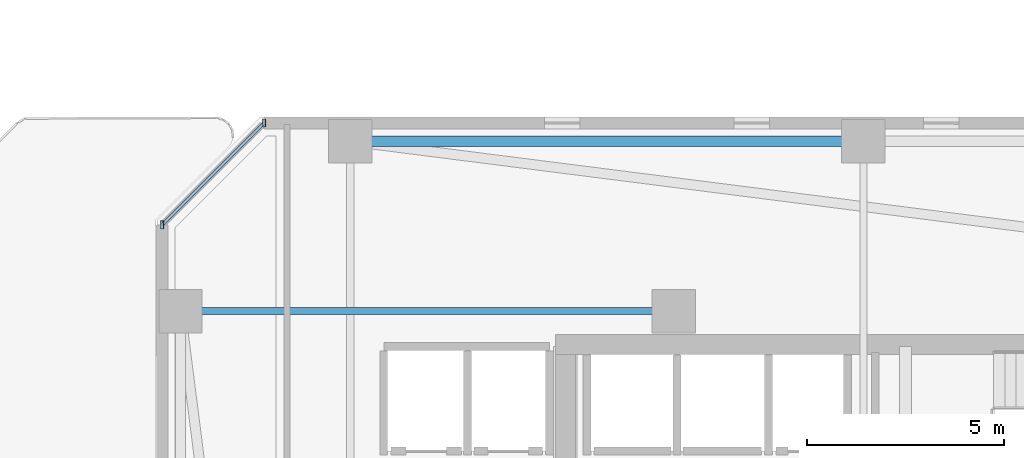
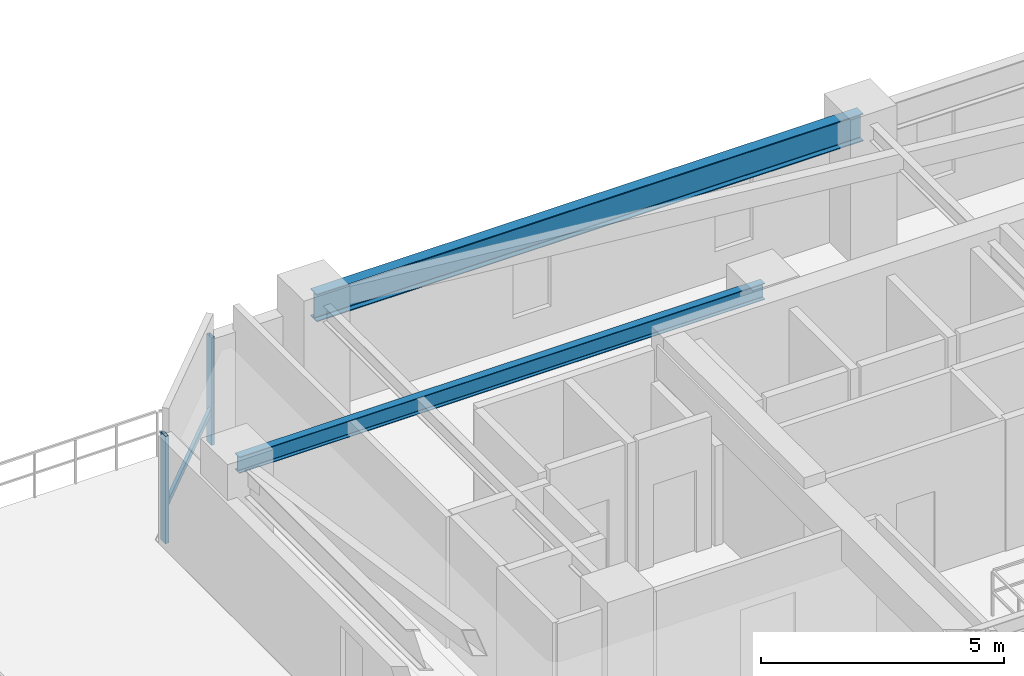
# One storey, part 7 of 30: 3 members, 2 beams, 1 element without a shape of its own.
"""IFC4 building model written with IfcOpenShell, lengths in metres."""

import ifcopenshell
import ifcopenshell.guid

model = None  # the IFC model being written
_history = None  # IfcOwnerHistory: only IFC2X3 demands one
_inside = {}  # id of a spatial element -> (the spatial element, [elements in it])
_under = {}  # id of a project, library or spatial element -> (it, [spatial elements below it])
_declared = {}  # id of a project -> (the project, [libraries it declares])
_typed = {}  # id of a type object -> (the type object, [elements of that type])
_made_of = {}  # id of a material, layer set ... -> (it, [elements and type objects made of it])


def new_model(schema):
    """Start an empty IFC model of exactly this schema.

    Asked for "IFC4X3", IfcOpenShell would pick the latest addendum, in which some entities
    have other attributes; the version numbers below select the first issue.
    IFC2X3 requires an IfcOwnerHistory on every rooted entity: one is made here for all.
    """
    global model, _history
    if schema == "IFC4X3":
        model = ifcopenshell.file(schema_version=(4, 3, 0, 0))
    else:
        model = ifcopenshell.file(schema=schema)
    _inside.clear()
    _under.clear()
    _declared.clear()
    _typed.clear()
    _made_of.clear()
    _history = None
    if model.schema == "IFC2X3":
        org = make("IfcOrganization", Name="unknown")
        user = make(
            "IfcPersonAndOrganization",
            ThePerson=make("IfcPerson", FamilyName="unknown"),
            TheOrganization=org,
        )
        app = make(
            "IfcApplication",
            ApplicationDeveloper=org,
            Version="unknown",
            ApplicationFullName="unknown",
            ApplicationIdentifier="unknown",
        )
        _history = make(
            "IfcOwnerHistory",
            OwningUser=user,
            OwningApplication=app,
            ChangeAction="ADDED",
            CreationDate=0,
        )
    return model


def make(cls, **values):
    """One entity of the class cls with the attributes given. An attribute that is None is left unset."""
    return model.create_entity(
        cls, **{name: value for name, value in values.items() if value is not None}
    )


def rooted(cls, **values):
    """An entity with a GlobalId (a new one), such as an element, a storey or a relation."""
    return make(cls, GlobalId=ifcopenshell.guid.new(), OwnerHistory=_history, **values)


def si_unit(unit_type, name, prefix=None):
    """IfcSIUnit, for example si_unit("LENGTHUNIT", "METRE", prefix="MILLI")."""
    return make("IfcSIUnit", UnitType=unit_type, Prefix=prefix, Name=name)


def assignment(units):
    """IfcUnitAssignment: the units of a project."""
    return None if units is None else make("IfcUnitAssignment", Units=units)


def point(xyz):
    """IfcCartesianPoint."""
    return None if xyz is None else make("IfcCartesianPoint", Coordinates=xyz)


def direction(xyz):
    """IfcDirection."""
    return None if xyz is None else make("IfcDirection", DirectionRatios=xyz)


def frame(location, z_axis=None, x_axis=None):
    """IfcAxis2Placement3D, a coordinate frame: its origin and axes. An axis left out is left unset."""
    return make(
        "IfcAxis2Placement3D",
        Location=point(location),
        Axis=direction(z_axis),
        RefDirection=direction(x_axis),
    )


def frame_2d(location, x_axis=None):
    """IfcAxis2Placement2D, a coordinate frame in the plane: its origin and x axis."""
    return make(
        "IfcAxis2Placement2D", Location=point(location), RefDirection=direction(x_axis)
    )


def origin():
    """The frame at (0, 0, 0) with its axes left unset."""
    return frame((0.0, 0.0, 0.0))


def origin_2d():
    """The frame at (0, 0) in the plane with its x axis left unset."""
    return frame_2d((0.0, 0.0))


def place(relative_to, where):
    """IfcLocalPlacement: puts the frame where relative to a parent placement (None: the world)."""
    return make(
        "IfcLocalPlacement", PlacementRelTo=relative_to, RelativePlacement=where
    )


def context(
    kind, dimensions, precision=None, world=None, true_north=None, identifier=None
):
    """IfcGeometricRepresentationContext, for example the 3D "Model" context."""
    return make(
        "IfcGeometricRepresentationContext",
        ContextIdentifier=identifier,
        ContextType=kind,
        CoordinateSpaceDimension=dimensions,
        Precision=precision,
        WorldCoordinateSystem=world,
        TrueNorth=true_north,
    )


def subcontext(parent, identifier, kind, view, scale=None):
    """IfcGeometricRepresentationSubContext, for example "Body" below "Model"."""
    return make(
        "IfcGeometricRepresentationSubContext",
        ContextIdentifier=identifier,
        ContextType=kind,
        ParentContext=parent,
        TargetScale=scale,
        TargetView=view,
    )


def project(units=None, contexts=None):
    """IfcProject with its units and contexts."""
    return rooted(
        "IfcProject",
        Name="project",
        RepresentationContexts=contexts,
        UnitsInContext=assignment(units),
    )


def spatial(cls, under=None, at=None, **own):
    """A site, building, storey or space (cls), placed at a placement, below another one or the project."""
    s = rooted(cls, ObjectPlacement=at, **own)
    if under is not None:
        _under.setdefault(under.id(), (under, []))[1].append(s)
    return s


def profile(cls, at=None, kind="AREA", **sizes):
    """A parametric profile (cls). Its sizes go by their IFC names, for example OverallWidth=200.0."""
    return make(cls, ProfileType=kind, Position=at, **sizes)


def hollow_rectangle(**sizes):
    """IfcRectangleHollowProfileDef."""
    return profile("IfcRectangleHollowProfileDef", **sizes)


def i_section(**sizes):
    """IfcIShapeProfileDef."""
    return profile("IfcIShapeProfileDef", **sizes)


def extrude(swept, where, along, depth):
    """IfcExtrudedAreaSolid: the profile swept, set in the frame where, extruded along a direction by depth."""
    return make(
        "IfcExtrudedAreaSolid",
        SweptArea=swept,
        Position=where,
        ExtrudedDirection=direction(along),
        Depth=depth,
    )


def shape(context_of_items, identifier, shape_type, items):
    """IfcShapeRepresentation: the items that make up one representation, for example the "Body"."""
    return make(
        "IfcShapeRepresentation",
        ContextOfItems=context_of_items,
        RepresentationIdentifier=identifier,
        RepresentationType=shape_type,
        Items=items,
    )


def material(Name=None, Category=None):
    """IfcMaterial."""
    return make("IfcMaterial", Name=Name, Category=Category)


def material_profile(
    of_material, cross_section, Name=None, Category=None, Priority=None
):
    """IfcMaterialProfile: a cross section and its material."""
    return make(
        "IfcMaterialProfile",
        Name=Name,
        Material=of_material,
        Profile=cross_section,
        Priority=Priority,
        Category=Category,
    )


def profile_set(profiles, Name=None, composite=None):
    """IfcMaterialProfileSet."""
    return make(
        "IfcMaterialProfileSet",
        Name=Name,
        MaterialProfiles=profiles,
        CompositeProfile=composite,
    )


def made_of(thing, what):
    """Note that an element or type object is made of a material, layer set ...; save() writes the relation."""
    if what is not None:
        _made_of.setdefault(what.id(), (what, []))[1].append(thing)
    return thing


def type_object(cls, material=None, **own):
    """A type object (cls), such as IfcWallType, which elements share."""
    return made_of(rooted(cls, **own), material)


def element(
    cls,
    number,
    at=None,
    inside=None,
    cuts=None,
    type_object=None,
    material=None,
    context=None,
    identifier="Body",
    shape_type=None,
    held_by="IfcProductDefinitionShape",
    body=None,
    shapes=None,
    **own,
):
    """One element of the class cls, such as IfcWall. Its Tag is "e" and its number.

    at: its placement. inside: the storey or other place that contains it. cuts: it is an
    opening in that element (IfcRelVoidsElement). A single representation is given by context,
    identifier, shape_type and body (its items); several are given by shapes. held_by: the class
    of the entity that holds the representations. save() writes the other relations.
    """
    e = rooted(cls, Tag="e%d" % number, ObjectPlacement=at, **own)
    if body is not None:
        shapes = [shape(context, identifier, shape_type, body)]
    if shapes is not None:
        e.Representation = make(held_by, Representations=shapes)
    if inside is not None:
        _inside.setdefault(inside.id(), (inside, []))[1].append(e)
    if cuts is not None:
        rooted(
            "IfcRelVoidsElement", RelatingBuildingElement=cuts, RelatedOpeningElement=e
        )
    if type_object is not None:
        _typed.setdefault(type_object.id(), (type_object, []))[1].append(e)
    return made_of(e, material)


def aggregate(whole, parts):
    """IfcRelAggregates: a whole, such as a stair, and the parts it consists of."""
    return rooted("IfcRelAggregates", RelatingObject=whole, RelatedObjects=parts)


def save(model, path):
    """Write the relations noted so far, then the file.

    IfcRelAggregates (storeys below a building ...), IfcRelContainedInSpatialStructure (elements
    in a storey), IfcRelDefinesByType, IfcRelAssociatesMaterial and IfcRelDeclares: one each for
    every whole, place, type object, material and project.
    """
    for whole, parts in _under.values():
        aggregate(whole, parts)
    for where, things in _inside.values():
        rooted(
            "IfcRelContainedInSpatialStructure",
            RelatedElements=things,
            RelatingStructure=where,
        )
    for kind, things in _typed.values():
        rooted("IfcRelDefinesByType", RelatedObjects=things, RelatingType=kind)
    for what, things in _made_of.values():
        rooted("IfcRelAssociatesMaterial", RelatedObjects=things, RelatingMaterial=what)
    for by, libraries in _declared.values():
        rooted("IfcRelDeclares", RelatingContext=by, RelatedDefinitions=libraries)
    model.write(path)


model = new_model("IFC4")

# Units and contexts
model_context = context("Model", 3, precision=1e-05, world=origin(), true_north=direction((0.0, 1.0)))
body_context = subcontext(model_context, "Body", "Model", "MODEL_VIEW")
ifc_project = project(units=[si_unit("LENGTHUNIT", "METRE"), si_unit("AREAUNIT", "SQUARE_METRE"), si_unit("VOLUMEUNIT", "CUBIC_METRE"), si_unit("PLANEANGLEUNIT", "RADIAN"), si_unit("MASSUNIT", "GRAM", prefix="KILO")], contexts=[model_context])

# Site, building, storey
site_placement = place(None, origin())
site = spatial("IfcSite", under=ifc_project, at=site_placement, CompositionType="ELEMENT")
building_placement = place(site_placement, origin())
building = spatial("IfcBuilding", under=site, at=building_placement, Name="Thornwick Lancets Civic Towers", CompositionType="ELEMENT")
storey_placement = place(building_placement, frame((0.0, 0.0, 149.10009765625)))
storey = spatial("IfcBuildingStorey", under=building, at=storey_placement, Name="L39", CompositionType="ELEMENT", Elevation=149.10009765625)

# Beams
ifc_material_1 = material(Name="Steel S355JR", Category="steel")
ifc_material_profile_1 = material_profile(ifc_material_1, i_section(OverallWidth=0.255859375, OverallDepth=0.69287109375, WebThickness=0.014404296875, FlangeThickness=0.023681640625, FilletRadius=0.01513671875, at=origin_2d()), Name="UKB 686x254x170")
ifc_profile_set_1 = profile_set([ifc_material_profile_1], Name="Steel S355JR")
beam_type_1 = type_object("IfcBeamType", Name="BM_GIRD_686_170", PredefinedType="BEAM", material=ifc_profile_set_1)
beam_1_placement = place(storey_placement, frame((12.5, 44.300048828125, 2.973388671875), z_axis=(1.0, 0.0, 0.0), x_axis=(0.0, 1.0, 0.0)))
element("IfcBeam", 1, at=beam_1_placement, inside=storey, type_object=beam_type_1, Name="BM-SPINE-L39-A-6-7", PredefinedType="BEAM", context=body_context, shape_type="SweptSolid", body=[
    extrude(i_section(OverallWidth=0.255859375, OverallDepth=0.69287109375, WebThickness=0.014404296875, FlangeThickness=0.023681640625, FilletRadius=0.01513671875, at=origin_2d()), origin(), (0.0, 0.0, 1.0), 13.0),
])
ifc_material_profile_2 = material_profile(ifc_material_1, i_section(OverallWidth=0.179443359375, OverallDepth=0.412841796875, WebThickness=0.009521484375, FlangeThickness=0.01611328125, FilletRadius=0.01025390625, at=origin_2d()), Name="UKB 406x178x74")
ifc_profile_set_2 = profile_set([ifc_material_profile_2], Name="Steel S355JR")
beam_type_2 = type_object("IfcBeamType", Name="BM_JOIST_406_74", PredefinedType="JOIST", material=ifc_profile_set_2)
beam_2_placement = place(storey_placement, frame((20.699951171875, 40.0, 3.113525390625), z_axis=(-1.0, 0.0, 0.0), x_axis=(0.0, -1.0, 0.0)))
element("IfcBeam", 2, at=beam_2_placement, inside=storey, type_object=beam_type_2, Name="BM-RADIN-L39-A12", PredefinedType="JOIST", context=body_context, shape_type="SweptSolid", body=[
    extrude(i_section(OverallWidth=0.179443359375, OverallDepth=0.412841796875, WebThickness=0.009521484375, FlangeThickness=0.01611328125, FilletRadius=0.01025390625, at=origin_2d()), origin(), (0.0, 0.0, 1.0), 12.5),
])

# Curtain wall, members
ifc_material_2 = material(Name="Mid-zone chamfered-corner unitised glass curtain wall", Category="glass")
curtain_wall_type = type_object("IfcCurtainWallType", Name="CW_SYS_04", PredefinedType="NOTDEFINED", material=ifc_material_2)
curtain_wall_placement = place(storey_placement, origin())
curtain_wall = element("IfcCurtainWall", 3, at=curtain_wall_placement, inside=storey, type_object=curtain_wall_type, Name="L39 Curtain Wall CW-L39-A-E5", PredefinedType="NOTDEFINED")
ifc_material_3 = material(Name="Thermally broken bronze aluminium S355", Category="steel")
ifc_material_profile_3 = material_profile(ifc_material_3, hollow_rectangle(XDim=0.080078125, YDim=0.199951171875, WallThickness=0.006103515625, at=origin_2d()), Name="RHS 200x80x6")
ifc_profile_set_3 = profile_set([ifc_material_profile_3], Name="Thermally broken bronze aluminium S355")
member_type_1 = type_object("IfcMemberType", Name="CW_MUL_200", PredefinedType="MULLION", material=ifc_profile_set_3)
member_1_placement = place(storey_placement, frame((10.318603515625, 44.7646484375, 0.0), z_axis=(0.0, 0.0, 1.0), x_axis=(1.0, 0.0, 0.0)))
member_1 = element("IfcMember", 4, at=member_1_placement, type_object=member_type_1, Name="CW-L39-A-E5 Mullion 0", PredefinedType="MULLION", context=body_context, shape_type="SweptSolid", body=[
    extrude(hollow_rectangle(XDim=0.080078125, YDim=0.199951171875, WallThickness=0.006103515625, at=origin_2d()), origin(), (0.0, 0.0, 1.0), 2.699951171875),
])
member_2_placement = place(storey_placement, frame((7.7353515625, 42.181396484375, 0.0), z_axis=(0.0, 0.0, 1.0), x_axis=(1.0, 0.0, 0.0)))
member_2 = element("IfcMember", 5, at=member_2_placement, type_object=member_type_1, Name="CW-L39-A-E5 Mullion 1", PredefinedType="MULLION", context=body_context, shape_type="SweptSolid", body=[
    extrude(hollow_rectangle(XDim=0.080078125, YDim=0.199951171875, WallThickness=0.006103515625, at=origin_2d()), origin(), (0.0, 0.0, 1.0), 2.699951171875),
])
ifc_material_profile_4 = material_profile(ifc_material_3, hollow_rectangle(XDim=0.074951171875, YDim=0.14990234375, WallThickness=0.0048828125, at=origin_2d()), Name="RHS 150x75x5")
ifc_profile_set_4 = profile_set([ifc_material_profile_4], Name="Thermally broken bronze aluminium S355")
member_type_2 = type_object("IfcMemberType", Name="CW_TRN_150", PredefinedType="USERDEFINED", material=ifc_profile_set_4)
member_3_placement = place(storey_placement, frame((10.304443359375, 44.75048828125, 0.849853515625), z_axis=(-0.707106781187, -0.707106781187, 0.0), x_axis=(0.707106781187, -0.707106781187, 0.0)))
member_3 = element("IfcMember", 6, at=member_3_placement, type_object=member_type_2, Name="CW-L39-A-E5 Transom 0", ObjectType="TRANSOM", PredefinedType="USERDEFINED", context=body_context, shape_type="SweptSolid", body=[
    extrude(hollow_rectangle(XDim=0.074951171875, YDim=0.14990234375, WallThickness=0.0048828125, at=origin_2d()), origin(), (0.0, 0.0, 1.0), 3.61328125),
])
aggregate(curtain_wall, [member_1, member_2, member_3])

save(model, "model.ifc")
